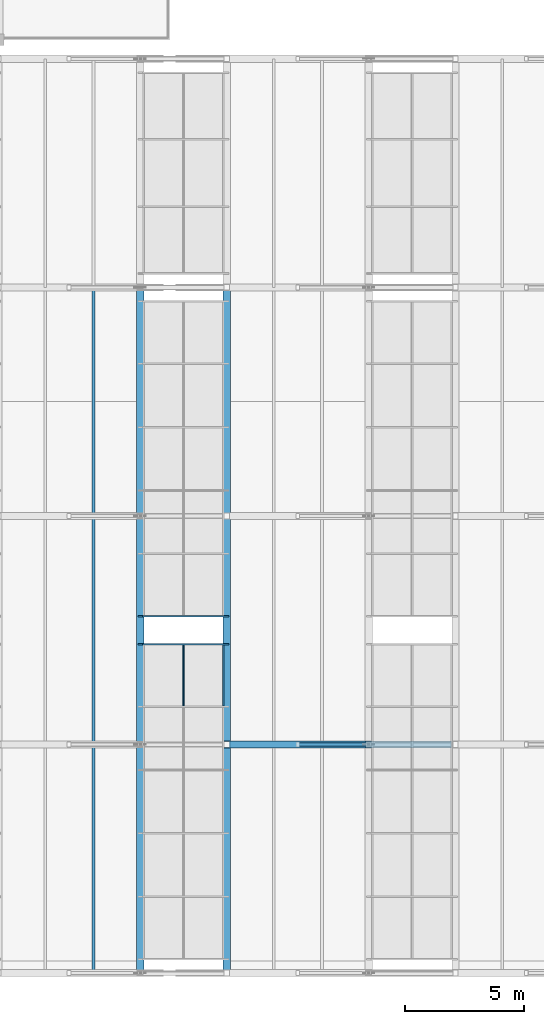
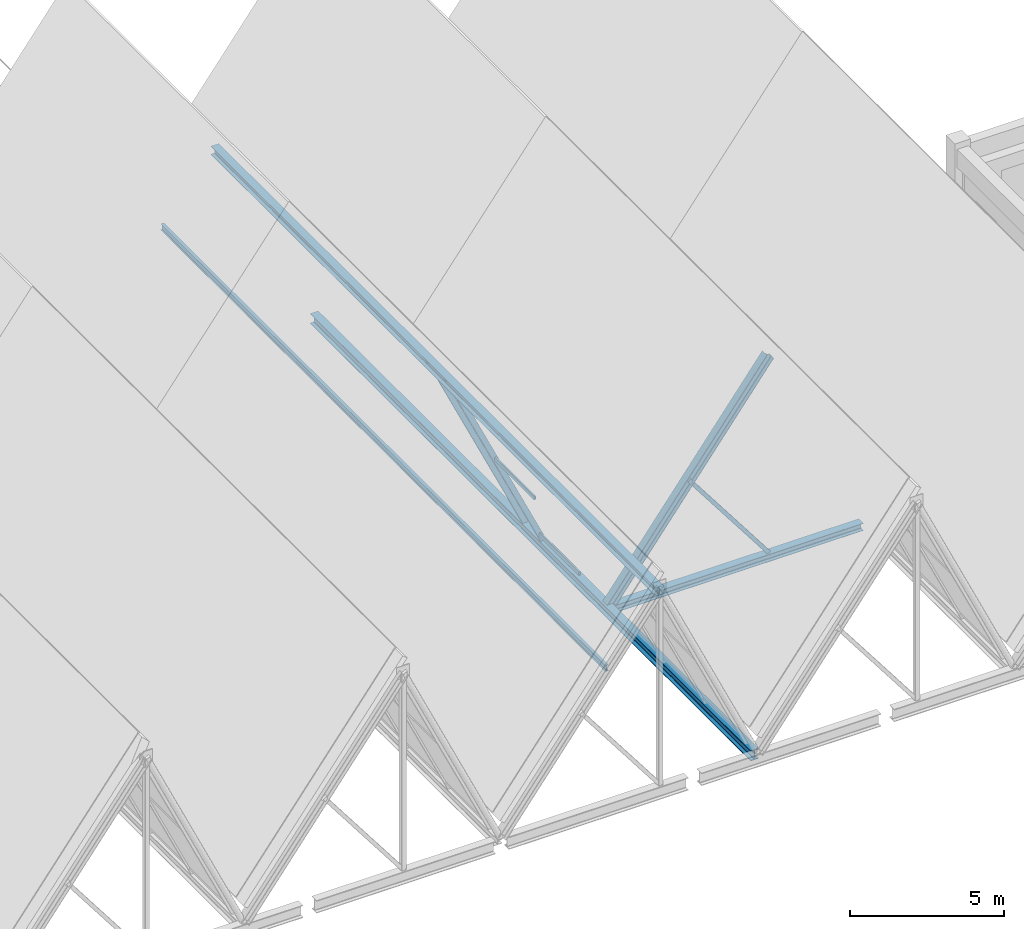
# One storey, part 17 of 99: 8 members, 2 beams, 2 elements without a shape of their own.
"""IFC4 building model written with IfcOpenShell, lengths in metres."""

from ifc_helpers import new_model, si_unit, direction, frame, origin, origin_2d, place, context, subcontext, project, spatial, hollow_rectangle, i_section, extrude, material, material_profile, profile_set, type_object, element, aggregate, save


model = new_model("IFC4")

# Units and contexts
model_context = context("Model", 3, precision=1e-05, world=origin(), true_north=direction((0.0, 1.0)))
body_context = subcontext(model_context, "Body", "Model", "MODEL_VIEW")
ifc_project = project(units=[si_unit("LENGTHUNIT", "METRE"), si_unit("AREAUNIT", "SQUARE_METRE"), si_unit("VOLUMEUNIT", "CUBIC_METRE"), si_unit("PLANEANGLEUNIT", "RADIAN"), si_unit("MASSUNIT", "GRAM", prefix="KILO")], contexts=[model_context])

# Site, building, storey
site_placement = place(None, origin())
site = spatial("IfcSite", under=ifc_project, at=site_placement, CompositionType="ELEMENT")
building_placement = place(site_placement, origin())
building = spatial("IfcBuilding", under=site, at=building_placement, Name="Bramveld Media Centre", CompositionType="ELEMENT")
storey_placement = place(building_placement, frame((0.0, 0.0, 13.800048828125)))
storey = spatial("IfcBuildingStorey", under=building, at=storey_placement, Name="L03", CompositionType="ELEMENT", Elevation=13.800048828125)

# Curtain wall, member
ifc_material_1 = material(Name="Thermally broken anodized bronze aluminium unitized curtain wall with solar-control triple glazing", Category="aluminium")
curtain_wall_type = type_object("IfcCurtainWallType", Name="CW-SAW-13300x8606", PredefinedType="NOTDEFINED", material=ifc_material_1)
curtain_wall_1_placement = place(storey_placement, origin())
curtain_wall_1 = element("IfcCurtainWall", 1, at=curtain_wall_1_placement, inside=storey, type_object=curtain_wall_type, Name="V2 sawtooth north-light clerestory B4-S1", PredefinedType="NOTDEFINED")
ifc_material_2 = material(Name="Thermally broken anodized bronze aluminium EN AW-6063 T6 curtain-wall framing", Category="aluminium")
ifc_material_profile_1 = material_profile(ifc_material_2, hollow_rectangle(XDim=0.070068359375, YDim=0.199951171875, WallThickness=0.00439453125, InnerFilletRadius=0.00439453125, OuterFilletRadius=0.009033203125, at=origin_2d()), Name="AL-MULL 70x200")
ifc_profile_set_1 = profile_set([ifc_material_profile_1], Name="Thermally broken anodized bronze aluminium EN AW-6063 T6 curtain-wall framing")
member_type_1 = type_object("IfcMemberType", Name="CW-MULL-SLP", PredefinedType="MULLION", material=ifc_profile_set_1)
member_1_placement = place(storey_placement, frame((38.39990234375, 13.81494140625, -0.02001953125), z_axis=(-0.423956992265, 0.0, 0.90568232218), x_axis=(0.0, -1.0, 0.0)))
member_1 = element("IfcMember", 2, at=member_1_placement, type_object=member_type_1, Name="CW-SA-13386 sloped mullion 6", PredefinedType="MULLION", context=body_context, shape_type="SweptSolid", body=[
    extrude(hollow_rectangle(XDim=0.070068359375, YDim=0.199951171875, WallThickness=0.00439453125, InnerFilletRadius=0.00439453125, OuterFilletRadius=0.009033203125, at=origin_2d()), origin(), (0.0, 0.0, 1.0), 8.5791015625),
])

curtain_wall_2_placement = place(storey_placement, origin())
curtain_wall_2 = element("IfcCurtainWall", 3, at=curtain_wall_2_placement, inside=storey, type_object=curtain_wall_type, Name="V2 sawtooth north-light clerestory B4-S2", PredefinedType="NOTDEFINED")
member_2_placement = place(storey_placement, frame((38.39990234375, 14.985107421875, -0.02001953125), z_axis=(-0.423956992265, 0.0, 0.90568232218), x_axis=(0.0, -1.0, 0.0)))
member_2 = element("IfcMember", 4, at=member_2_placement, type_object=member_type_1, Name="CW-SA-13386 sloped mullion 1", PredefinedType="MULLION", context=body_context, shape_type="SweptSolid", body=[
    extrude(hollow_rectangle(XDim=0.070068359375, YDim=0.199951171875, WallThickness=0.00439453125, InnerFilletRadius=0.00439453125, OuterFilletRadius=0.009033203125, at=origin_2d()), origin(), (0.0, 0.0, 1.0), 8.5791015625),
])
aggregate(curtain_wall_2, [member_2])

# Member
ifc_material_3 = material(Name="Thermally broken anodized bronze aluminium EN AW-6063 T6 curtain-wall framing", Category="aluminium")
ifc_material_profile_2 = material_profile(ifc_material_3, hollow_rectangle(XDim=0.070068359375, YDim=0.14990234375, WallThickness=0.00390625, InnerFilletRadius=0.00390625, OuterFilletRadius=0.008056640625, at=origin_2d()), Name="AL-TRAN 70x150")
ifc_profile_set_2 = profile_set([ifc_material_profile_2], Name="Thermally broken anodized bronze aluminium EN AW-6063 T6 curtain-wall framing")
member_type_2 = type_object("IfcMemberType", Name="CW-TRAN-SLP", PredefinedType="USERDEFINED", material=ifc_profile_set_2)
member_3_placement = place(storey_placement, frame((38.25439453125, 11.22509765625, 0.290771484375), z_axis=(0.0, 1.0, 0.0), x_axis=(-1.0, 0.0, 0.0)))
member_3 = element("IfcMember", 5, at=member_3_placement, type_object=member_type_2, Name="CW-SA-13386 transom 5.1", ObjectType="TRANSOM", PredefinedType="USERDEFINED", context=body_context, shape_type="SweptSolid", body=[
    extrude(hollow_rectangle(XDim=0.070068359375, YDim=0.14990234375, WallThickness=0.00390625, InnerFilletRadius=0.00390625, OuterFilletRadius=0.008056640625, at=origin_2d()), origin(), (0.0, 0.0, 1.0), 2.554931640625),
])

member_4_placement = place(storey_placement, frame((36.581298828125, 11.22509765625, 3.864990234375), z_axis=(0.0, 1.0, 0.0), x_axis=(-1.0, 0.0, 0.0)))
member_4 = element("IfcMember", 6, at=member_4_placement, type_object=member_type_2, Name="CW-SA-13386 transom 5.2", ObjectType="TRANSOM", PredefinedType="USERDEFINED", context=body_context, shape_type="SweptSolid", body=[
    extrude(hollow_rectangle(XDim=0.070068359375, YDim=0.14990234375, WallThickness=0.00390625, InnerFilletRadius=0.00390625, OuterFilletRadius=0.008056640625, at=origin_2d()), origin(), (0.0, 0.0, 1.0), 2.554931640625),
])

aggregate(curtain_wall_1, [member_1, member_3, member_4])

# Members
ifc_material_4 = material(Name="Steel S355J2H", Category="steel")
ifc_material_profile_3 = material_profile(ifc_material_4, hollow_rectangle(XDim=0.14990234375, YDim=0.14990234375, WallThickness=0.010009765625, InnerFilletRadius=0.010009765625, OuterFilletRadius=0.02001953125, at=origin_2d()), Name="SHS 150x150x10")
ifc_profile_set_3 = profile_set([ifc_material_profile_3], Name="Steel S355J2H")
member_type_3 = type_object("IfcMemberType", Name="MEM-BRACE-SHS150", PredefinedType="BRACE", material=ifc_profile_set_3)
member_5_placement = place(storey_placement, frame((44.36279296875, 9.60009765625, 0.0), z_axis=(-0.607343034298, 0.0, 0.794439701104), x_axis=(0.0, -1.0, 0.0)))
element("IfcMember", 7, at=member_5_placement, inside=storey, type_object=member_type_3, Name="TRUSS-V2-B05-F2 web diagonal", PredefinedType="BRACE", context=body_context, shape_type="SweptSolid", body=[
    extrude(hollow_rectangle(XDim=0.14990234375, YDim=0.14990234375, WallThickness=0.010009765625, InnerFilletRadius=0.010009765625, OuterFilletRadius=0.02001953125, at=origin_2d()), origin(), (0.0, 0.0, 1.0), 4.908935546875),
])
ifc_material_5 = material(Name="Steel S355J2", Category="steel")
ifc_material_profile_4 = material_profile(ifc_material_5, i_section(OverallWidth=0.300048828125, OverallDepth=0.2900390625, WebThickness=0.008544921875, FlangeThickness=0.013916015625, FilletRadius=0.027099609375, at=origin_2d()), Name="HEA 300")
ifc_profile_set_4 = profile_set([ifc_material_profile_4], Name="Steel S355J2")
member_type_4 = type_object("IfcMemberType", Name="MEM-CHORD-HEA300", PredefinedType="CHORD", material=ifc_profile_set_4)
member_6_placement = place(storey_placement, frame((38.56005859375, 9.60009765625, -0.14501953125), z_axis=(1.0, 0.0, 0.0), x_axis=(0.0, 1.0, 0.0)))
element("IfcMember", 8, at=member_6_placement, inside=storey, type_object=member_type_4, Name="TRUSS-V2-B05-F2 bottom tie chord", PredefinedType="CHORD", context=body_context, shape_type="SweptSolid", body=[
    extrude(i_section(OverallWidth=0.300048828125, OverallDepth=0.2900390625, WebThickness=0.008544921875, FlangeThickness=0.013916015625, FilletRadius=0.027099609375, at=origin_2d()), origin(), (0.0, 0.0, 1.0), 9.280029296875),
])
ifc_material_6 = material(Name="Steel S355J2", Category="steel")
ifc_material_profile_5 = material_profile(ifc_material_6, i_section(OverallWidth=0.300048828125, OverallDepth=0.340087890625, WebThickness=0.011962890625, FlangeThickness=0.021484375, FilletRadius=0.027099609375, at=origin_2d()), Name="HEB 340")
ifc_profile_set_5 = profile_set([ifc_material_profile_5], Name="Steel S355J2")
member_type_5 = type_object("IfcMemberType", Name="MEM-CHORD-HEB340", PredefinedType="CHORD", material=ifc_profile_set_5)
member_7_placement = place(storey_placement, frame((38.39990234375, 9.60009765625, 0.0), z_axis=(0.607331036372, 0.0, 0.794448873282), x_axis=(0.0, 1.0, 0.0)))
element("IfcMember", 9, at=member_7_placement, inside=storey, type_object=member_type_5, Name="TRUSS-V2-B05-F2 top rafter chord", PredefinedType="CHORD", context=body_context, shape_type="SweptSolid", body=[
    extrude(i_section(OverallWidth=0.300048828125, OverallDepth=0.340087890625, WebThickness=0.011962890625, FlangeThickness=0.021484375, FilletRadius=0.027099609375, at=origin_2d()), origin(), (0.0, 0.0, 1.0), 9.818115234375),
])
ifc_material_7 = material(Name="Steel S355J2", Category="steel")
ifc_material_profile_6 = material_profile(ifc_material_7, i_section(OverallWidth=0.1201171875, OverallDepth=0.239990234375, WebThickness=0.006103515625, FlangeThickness=0.009765625, FilletRadius=0.014892578125, at=origin_2d()), Name="IPE 240")
ifc_profile_set_6 = profile_set([ifc_material_profile_6], Name="Steel S355J2")
member_type_6 = type_object("IfcMemberType", Name="MEM-PURLIN-IPE240", PredefinedType="PURLIN", material=ifc_profile_set_6)
member_8_placement = place(storey_placement, frame((32.795166015625, 0.0, 5.26904296875), z_axis=(0.0, 1.0, 0.0), x_axis=(-1.0, 0.0, 0.0)))
element("IfcMember", 10, at=member_8_placement, inside=storey, type_object=member_type_6, Name="V2 roof purlin", PredefinedType="PURLIN", context=body_context, shape_type="SweptSolid", body=[
    extrude(i_section(OverallWidth=0.1201171875, OverallDepth=0.239990234375, WebThickness=0.006103515625, FlangeThickness=0.009765625, FilletRadius=0.014892578125, at=origin_2d()), origin(), (0.0, 0.0, 1.0), 28.800048828125),
])

# Beams
ifc_material_8 = material(Name="Steel S355J2", Category="steel")
ifc_material_profile_7 = material_profile(ifc_material_8, i_section(OverallWidth=0.300048828125, OverallDepth=0.330078125, WebThickness=0.009521484375, FlangeThickness=0.0166015625, FilletRadius=0.027099609375, at=origin_2d()), Name="HEA 340")
ifc_profile_set_7 = profile_set([ifc_material_profile_7], Name="Steel S355J2")
beam_type_1 = type_object("IfcBeamType", Name="SBM-INT-HEA-340", PredefinedType="BEAM", material=ifc_profile_set_7)
beam_1_placement = place(storey_placement, frame((34.7626953125, 0.0, 7.635009765625), z_axis=(0.0, 1.0, 0.0), x_axis=(-1.0, 0.0, 0.0)))
element("IfcBeam", 11, at=beam_1_placement, inside=storey, type_object=beam_type_1, Name="V2 ridge spine beam", PredefinedType="BEAM", context=body_context, shape_type="SweptSolid", body=[
    extrude(i_section(OverallWidth=0.300048828125, OverallDepth=0.330078125, WebThickness=0.009521484375, FlangeThickness=0.0166015625, FilletRadius=0.027099609375, at=origin_2d()), origin(), (0.0, 0.0, 1.0), 28.800048828125),
])
ifc_material_9 = material(Name="Steel S355J2", Category="steel")
ifc_material_profile_8 = material_profile(ifc_material_9, i_section(OverallWidth=0.300048828125, OverallDepth=0.39990234375, WebThickness=0.013427734375, FlangeThickness=0.02392578125, FilletRadius=0.027099609375, at=origin_2d()), Name="HEB 400")
ifc_profile_set_8 = profile_set([ifc_material_profile_8], Name="Steel S355J2")
beam_type_2 = type_object("IfcBeamType", Name="SBM-INT-HEB-400", PredefinedType="BEAM", material=ifc_profile_set_8)
beam_2_placement = place(storey_placement, frame((38.39990234375, 0.139892578125, -0.199951171875), z_axis=(0.0, 1.0, 0.0), x_axis=(-1.0, 0.0, 0.0)))
element("IfcBeam", 12, at=beam_2_placement, inside=storey, type_object=beam_type_2, Name="V2 valley spine girder 4", PredefinedType="BEAM", context=body_context, shape_type="SweptSolid", body=[
    extrude(i_section(OverallWidth=0.300048828125, OverallDepth=0.39990234375, WebThickness=0.013427734375, FlangeThickness=0.02392578125, FilletRadius=0.027099609375, at=origin_2d()), origin(), (0.0, 0.0, 1.0), 28.52001953125),
])

save(model, "model.ifc")
